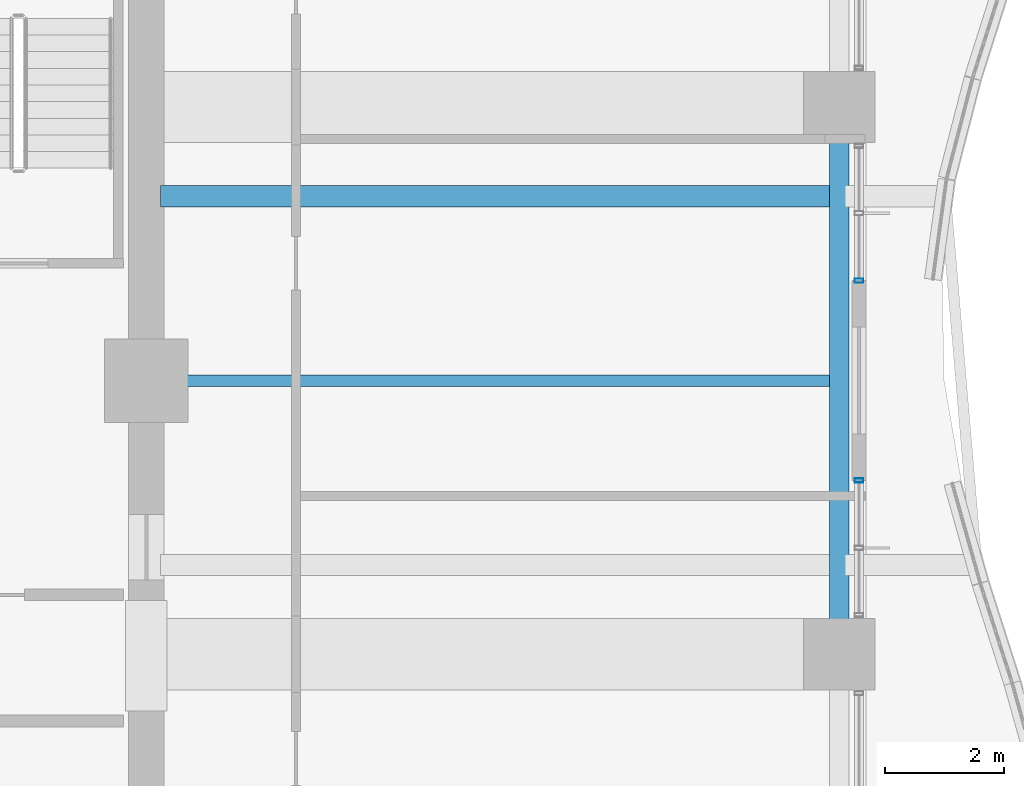
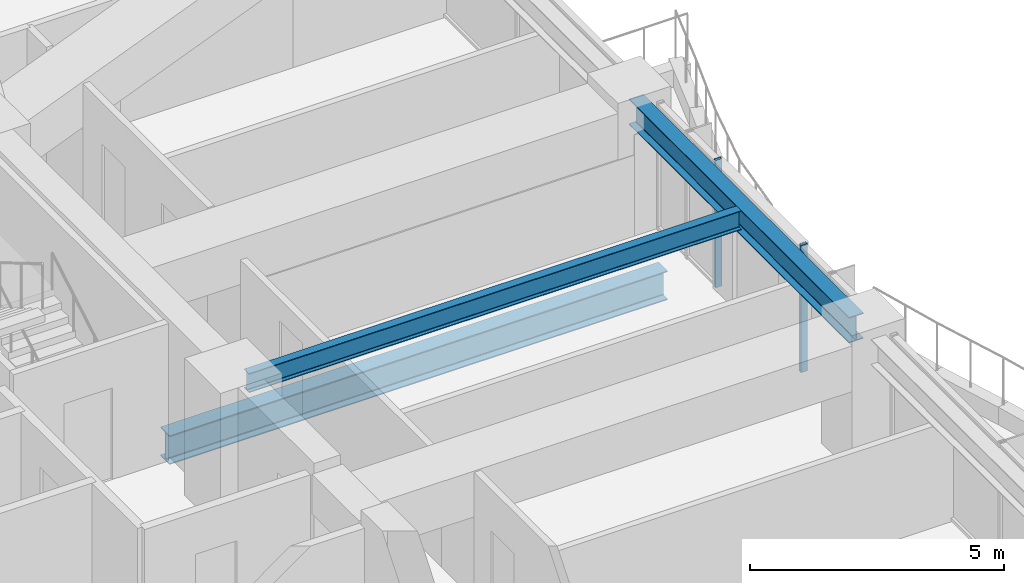
# One storey, part 15 of 39: 3 beams, 2 members, 2 elements without a shape of their own.
"""IFC4 building model written with IfcOpenShell, lengths in metres."""

from ifc_helpers import new_model, si_unit, direction, frame, origin, origin_2d, place, context, subcontext, project, spatial, hollow_rectangle, i_section, extrude, material, material_profile, profile_set, type_object, element, aggregate, save


model = new_model("IFC4")

# Units and contexts
model_context = context("Model", 3, precision=1e-05, world=origin(), true_north=direction((0.0, 1.0)))
body_context = subcontext(model_context, "Body", "Model", "MODEL_VIEW")
ifc_project = project(units=[si_unit("LENGTHUNIT", "METRE"), si_unit("AREAUNIT", "SQUARE_METRE"), si_unit("VOLUMEUNIT", "CUBIC_METRE"), si_unit("PLANEANGLEUNIT", "RADIAN"), si_unit("MASSUNIT", "GRAM", prefix="KILO")], contexts=[model_context])

# Site, building, storey
site_placement = place(None, origin())
site = spatial("IfcSite", under=ifc_project, at=site_placement, CompositionType="ELEMENT")
building_placement = place(site_placement, origin())
building = spatial("IfcBuilding", under=site, at=building_placement, Name="Kolvaren Belvedere", CompositionType="ELEMENT")
storey_placement = place(building_placement, frame((0.0, 0.0, 33.699951171875)))
storey = spatial("IfcBuildingStorey", under=building, at=storey_placement, Name="L09", CompositionType="ELEMENT", Elevation=33.699951171875)

# Beams
ifc_material_1 = material(Name="Structural steel ASTM A992 Grade 50", Category="steel")
ifc_material_profile_1 = material_profile(ifc_material_1, i_section(OverallWidth=0.35498046875, OverallDepth=0.696044921875, WebThickness=0.015380859375, FlangeThickness=0.02490234375, FilletRadius=0.02197265625, at=origin_2d()), Name="W27X146")
ifc_profile_set_1 = profile_set([ifc_material_profile_1], Name="Structural steel ASTM A992 Grade 50")
beam_type_1 = type_object("IfcBeamType", Name="BM-GIRD-W27X146", PredefinedType="BEAM", material=ifc_profile_set_1)
beam_1_placement = place(storey_placement, frame((10.139892578125, 3.10009765625, -0.587890625), z_axis=(1.0, 0.0, 0.0), x_axis=(0.0, 1.0, 0.0)))
element("IfcBeam", 1, at=beam_1_placement, inside=storey, type_object=beam_type_1, Name="L09 Balcony Interior Back-Span Girder BAL-E-2", PredefinedType="BEAM", context=body_context, shape_type="SweptSolid", body=[
    extrude(i_section(OverallWidth=0.35498046875, OverallDepth=0.696044921875, WebThickness=0.015380859375, FlangeThickness=0.02490234375, FilletRadius=0.02197265625, at=origin_2d()), origin(), (0.0, 0.0, 1.0), 11.315185546875),
])
ifc_material_2 = material(Name="Structural steel ASTM A992 Grade 50", Category="steel")
ifc_material_profile_2 = material_profile(ifc_material_2, i_section(OverallWidth=0.19091796875, OverallDepth=0.4599609375, WebThickness=0.010009765625, FlangeThickness=0.01611328125, FilletRadius=0.014892578125, at=origin_2d()), Name="W18X55")
ifc_profile_set_2 = profile_set([ifc_material_profile_2], Name="Structural steel ASTM A992 Grade 50")
beam_type_2 = type_object("IfcBeamType", Name="BM-JOIST-W18X55", PredefinedType="BEAM", material=ifc_profile_set_2)
beam_2_placement = place(storey_placement, frame((10.199951171875, 0.0, 2.830078125), z_axis=(1.0, 0.0, 0.0), x_axis=(0.0, 1.0, 0.0)))
element("IfcBeam", 2, at=beam_2_placement, inside=storey, type_object=beam_type_2, Name="L09 East Centre Floor Beam", PredefinedType="BEAM", context=body_context, shape_type="SweptSolid", body=[
    extrude(i_section(OverallWidth=0.19091796875, OverallDepth=0.4599609375, WebThickness=0.010009765625, FlangeThickness=0.01611328125, FilletRadius=0.014892578125, at=origin_2d()), origin(), (0.0, 0.0, 1.0), 11.1875),
])
ifc_material_3 = material(Name="Structural steel ASTM A992 Grade 50", Category="steel")
ifc_material_profile_3 = material_profile(ifc_material_3, i_section(OverallWidth=0.324951171875, OverallDepth=0.615966796875, WebThickness=0.013916015625, FlangeThickness=0.021484375, FilletRadius=0.02001953125, at=origin_2d()), Name="W24X117")
ifc_profile_set_3 = profile_set([ifc_material_profile_3], Name="Structural steel ASTM A992 Grade 50")
beam_type_3 = type_object("IfcBeamType", Name="BM-SPAN-W24X117", PredefinedType="SPANDREL", material=ifc_profile_set_3)
beam_3_placement = place(storey_placement, frame((21.550048828125, -4.330078125, 2.751953125), z_axis=(0.0, 1.0, 0.0), x_axis=(-1.0, 0.0, 0.0)))
element("IfcBeam", 3, at=beam_3_placement, inside=storey, type_object=beam_type_3, Name="L09 Perimeter Spandrel E2-E3", PredefinedType="SPANDREL", context=body_context, shape_type="SweptSolid", body=[
    extrude(i_section(OverallWidth=0.324951171875, OverallDepth=0.615966796875, WebThickness=0.013916015625, FlangeThickness=0.021484375, FilletRadius=0.02001953125, at=origin_2d()), origin(), (0.0, 0.0, 1.0), 8.66015625),
])

# Curtain wall, member
ifc_material_4 = material(Name="Anodised pale-metal aluminium AA 6063-T6", Category="aluminium")
curtain_wall_type = type_object("IfcCurtainWallType", Name="CW-Z1-LOW", PredefinedType="NOTDEFINED", material=ifc_material_4)
curtain_wall_1_placement = place(storey_placement, origin())
curtain_wall_1 = element("IfcCurtainWall", 4, at=curtain_wall_1_placement, inside=storey, type_object=curtain_wall_type, Name="L09 Unitised Curtain Wall FCW-L09-E1-B2", PredefinedType="NOTDEFINED")
ifc_material_5 = material(Name="Anodised pale-metal aluminium AA 6063-T6", Category="aluminium")
ifc_material_profile_4 = material_profile(ifc_material_5, hollow_rectangle(XDim=0.070068359375, YDim=0.14990234375, WallThickness=0.004150390625, at=origin_2d()), Name="ALU-MUL-150X70")
ifc_profile_set_4 = profile_set([ifc_material_profile_4], Name="Anodised pale-metal aluminium AA 6063-T6")
member_type = type_object("IfcMemberType", Name="CW-MUL-150", PredefinedType="MULLION", material=ifc_profile_set_4)
member_1_placement = place(storey_placement, frame((21.8798828125, 1.679931640625, 0.0), z_axis=(0.0, 0.0, 1.0), x_axis=(0.0, 1.0, 0.0)))
member_1 = element("IfcMember", 5, at=member_1_placement, type_object=member_type, Name="FCW-L09-E1-B2 Unitised Mullion 3", PredefinedType="MULLION", context=body_context, shape_type="SweptSolid", body=[
    extrude(hollow_rectangle(XDim=0.070068359375, YDim=0.14990234375, WallThickness=0.004150390625, at=origin_2d()), origin(), (0.0, 0.0, 1.0), 3.06005859375),
])
aggregate(curtain_wall_1, [member_1])

curtain_wall_2_placement = place(storey_placement, origin())
curtain_wall_2 = element("IfcCurtainWall", 6, at=curtain_wall_2_placement, inside=storey, type_object=curtain_wall_type, Name="L09 Unitised Curtain Wall FCW-L09-E2-B1", PredefinedType="NOTDEFINED")
member_2_placement = place(storey_placement, frame((21.8798828125, -1.679931640625, 0.0), z_axis=(0.0, 0.0, 1.0), x_axis=(0.0, 1.0, 0.0)))
member_2 = element("IfcMember", 7, at=member_2_placement, type_object=member_type, Name="FCW-L09-E2-B1 Unitised Mullion 1", PredefinedType="MULLION", context=body_context, shape_type="SweptSolid", body=[
    extrude(hollow_rectangle(XDim=0.070068359375, YDim=0.14990234375, WallThickness=0.004150390625, at=origin_2d()), origin(), (0.0, 0.0, 1.0), 3.06005859375),
])
aggregate(curtain_wall_2, [member_2])

save(model, "model.ifc")
